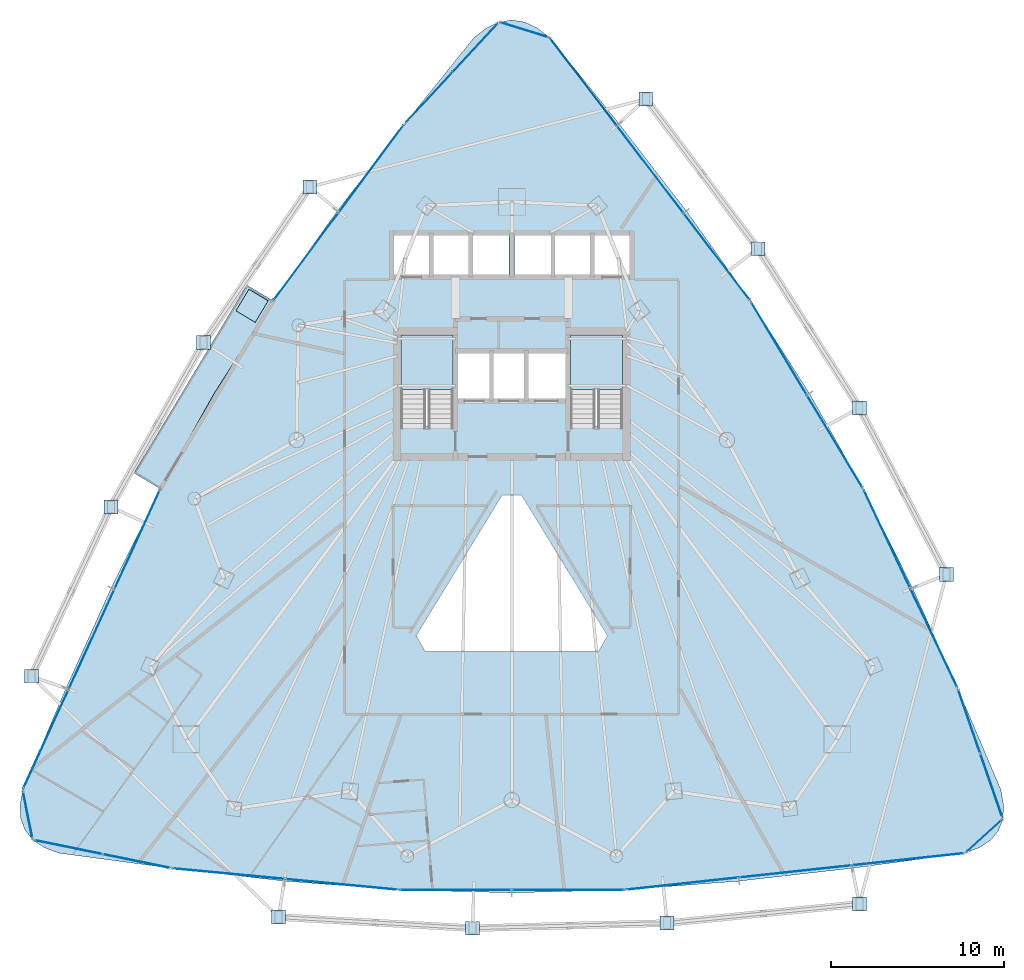
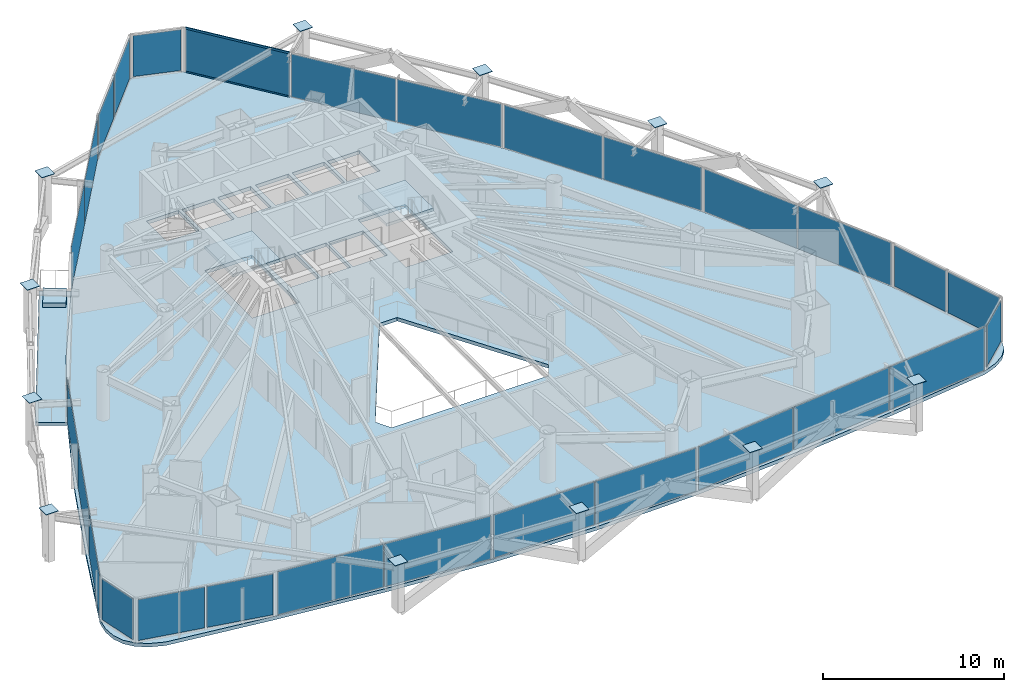
# One storey, part 31 of 38: 40 plates, 5 slabs, 2 members, 16 elements without a shape of their own.
"""IFC4 building model written with IfcOpenShell, lengths in metres."""

from ifc_helpers import new_model, si_unit, direction, frame, origin, origin_2d, place, context, subcontext, project, spatial, polyline, rectangle, hollow_rectangle, outline, extrude, material, layer, layer_set, material_profile, profile_set, type_object, element, aggregate, save


model = new_model("IFC4")

# Units and contexts
model_context = context("Model", 3, precision=1e-05, world=origin(), true_north=direction((0.0, 1.0)))
body_context = subcontext(model_context, "Body", "Model", "MODEL_VIEW")
ifc_project = project(units=[si_unit("LENGTHUNIT", "METRE"), si_unit("AREAUNIT", "SQUARE_METRE"), si_unit("VOLUMEUNIT", "CUBIC_METRE"), si_unit("PLANEANGLEUNIT", "RADIAN"), si_unit("MASSUNIT", "GRAM", prefix="KILO")], contexts=[model_context])

# Site, building, storey
site_placement = place(None, origin())
site = spatial("IfcSite", under=ifc_project, at=site_placement, CompositionType="ELEMENT")
building_placement = place(site_placement, origin())
building = spatial("IfcBuilding", under=site, at=building_placement, Name="Orvanel Arch Residences", CompositionType="ELEMENT")
storey_placement = place(building_placement, frame((0.0, 0.0, 56.60009765625)))
storey = spatial("IfcBuildingStorey", under=building, at=storey_placement, Name="L15", CompositionType="ELEMENT", Elevation=56.60009765625)

# Curtain wall, members
ifc_material_1 = material(Name="Bronze-anodised aluminium AA6063-T6", Category="aluminium")
ifc_layer_1 = layer(ifc_material_1, 0.179931640625)
ifc_layer_set_1 = layer_set([ifc_layer_1], Name="Bronze-anodised aluminium AA6063-T6")
curtain_wall_type_1 = type_object("IfcCurtainWallType", Name="CW2-LOW-SYS", PredefinedType="NOTDEFINED", material=ifc_layer_set_1)
curtain_wall_1_placement = place(storey_placement, origin())
curtain_wall_1 = element("IfcCurtainWall", 1, at=curtain_wall_1_placement, inside=storey, type_object=curtain_wall_type_1, Name="L15 CW2-LOW-SYS Unitised Curtain Wall", PredefinedType="NOTDEFINED")
ifc_material_profile = material_profile(ifc_material_1, hollow_rectangle(XDim=0.06005859375, YDim=0.135009765625, WallThickness=0.00390625, at=origin_2d()), Name="ALU135x60x4")
ifc_profile_set = profile_set([ifc_material_profile], Name="Bronze-anodised aluminium AA6063-T6")
member_type = type_object("IfcMemberType", Name="TRN-135x60", PredefinedType="USERDEFINED", material=ifc_profile_set)
member_1_placement = place(storey_placement, frame((39.041015625, 45.836181640625, 0.02978515625), z_axis=(-0.606365495041, 0.795186070316, 0.0), x_axis=(-0.795186070316, -0.606365495041, 0.0)))
member_1 = element("IfcMember", 2, at=member_1_placement, type_object=member_type, Name="CW-S2 transom 3.1", ObjectType="TRANSOM", PredefinedType="USERDEFINED", context=body_context, shape_type="SweptSolid", body=[
    extrude(hollow_rectangle(XDim=0.06005859375, YDim=0.135009765625, WallThickness=0.00390625, at=origin_2d()), origin(), (0.0, 0.0, 1.0), 6.2529296875),
])
member_2_placement = place(storey_placement, frame((39.041015625, 45.836181640625, 2.989990234375), z_axis=(-0.606365495041, 0.795186070316, 0.0), x_axis=(-0.795186070316, -0.606365495041, 0.0)))
member_2 = element("IfcMember", 3, at=member_2_placement, type_object=member_type, Name="CW-S2 transom 3.2", ObjectType="TRANSOM", PredefinedType="USERDEFINED", context=body_context, shape_type="SweptSolid", body=[
    extrude(hollow_rectangle(XDim=0.06005859375, YDim=0.135009765625, WallThickness=0.00390625, at=origin_2d()), origin(), (0.0, 0.0, 1.0), 6.2529296875),
])

# Plates
ifc_material_2 = material(Name="Structural steel AS/NZS 3678 Grade 350", Category="steel")
ifc_layer_2 = layer(ifc_material_2, 0.031982421875)
ifc_layer_set_2 = layer_set([ifc_layer_2], Name="Structural steel AS/NZS 3678 Grade 350")
plate_type_1 = type_object("IfcPlateType", Name="PL-CAP-32", PredefinedType="SHEET", material=ifc_layer_set_2)
for number, where, z_axis, x_axis, name in (
    (4, (21.323974609375, 42.251953125, 3.28369140625), (0.0, 0.0, 1.0), (1.0, 0.0, 0.0), "L15 hollow member end cap plate"),
    (5, (15.19189453125, 33.279052734375, 3.28369140625), (0.0, 0.0, 1.0), (1.0, 0.0, 0.0), "L15 hollow member end cap plate"),
    (6, (9.839111328125, 23.782958984375, 3.28369140625), (0.0, 0.0, 1.0), (1.0, 0.0, 0.0), "L15 hollow member end cap plate"),
    (7, (5.256103515625, 13.99609375, 3.28369140625), (0.0, 0.0, 1.0), (1.0, 0.0, 0.0), "L15 hollow member end cap plate"),
    (8, (19.52587890625, 0.087890625, 3.28369140625), (0.0, 0.0, 1.0), (1.0, 0.0, 0.0), "L15 hollow member end cap plate"),
    (9, (30.72607421875, -0.554931640625, 3.28369140625), (0.0, 0.0, 1.0), (1.0, 0.0, 0.0), "L15 hollow member end cap plate"),
    (10, (41.971923828125, -0.260986328125, 3.28369140625), (0.0, 0.0, 1.0), (1.0, 0.0, 0.0), "L15 hollow member end cap plate"),
    (11, (53.076904296875, 0.843017578125, 3.28369140625), (0.0, 0.0, 1.0), (1.0, 0.0, 0.0), "L15 hollow member end cap plate"),
    (12, (58.10302734375, 19.865966796875, 3.28369140625), (0.0, 0.0, 1.0), (1.0, 0.0, 0.0), "L15 hollow member end cap plate"),
    (13, (53.073974609375, 29.5009765625, 3.28369140625), (0.0, 0.0, 1.0), (1.0, 0.0, 0.0), "L15 hollow member end cap plate"),
    (14, (47.217041015625, 38.694091796875, 3.28369140625), (0.0, 0.0, 1.0), (1.0, 0.0, 0.0), "L15 hollow member end cap plate"),
    (15, (40.739990234375, 47.343994140625, 3.28369140625), (0.0, 0.0, 1.0), (1.0, 0.0, 0.0), "L15 hollow member end cap plate"),
):
    element("IfcPlate", number, at=place(storey_placement, frame(where, z_axis=z_axis, x_axis=x_axis)), inside=storey, type_object=plate_type_1, Name=name, PredefinedType="SHEET", context=body_context, shape_type="SweptSolid", body=[
        extrude(rectangle(XDim=0.800048828125, YDim=0.800048828125, at=origin_2d()), origin(), (0.0, 0.0, 1.0), 0.031982421875),
    ])

# Curtain wall, plates
curtain_wall_2_placement = place(storey_placement, origin())
curtain_wall_2 = element("IfcCurtainWall", 16, at=curtain_wall_2_placement, inside=storey, type_object=curtain_wall_type_1, Name="L15 CW2-LOW-SYS Unitised Curtain Wall", PredefinedType="NOTDEFINED")
ifc_material_3 = material(Name="Double-glazed solar-control low-E safety glass", Category="glass")
ifc_layer_3 = layer(ifc_material_3, 0.028076171875)
ifc_layer_set_3 = layer_set([ifc_layer_3], Name="Double-glazed solar-control low-E safety glass")
plate_type_2 = type_object("IfcPlateType", Name="PNL-GLZ-28", PredefinedType="CURTAIN_PANEL", material=ifc_layer_set_3)
plate_1_placement = place(storey_placement, frame((24.883544921875, 43.32470703125, 0.06005859375), z_axis=(0.0, 0.0, 1.0), x_axis=(-0.595664851429, -0.803233082468, 0.0)))
plate_1 = element("IfcPlate", 17, at=plate_1_placement, type_object=plate_type_2, Name="CW-S2 panel 1.1", PredefinedType="CURTAIN_PANEL", context=body_context, shape_type="SweptSolid", body=[
    extrude(rectangle(XDim=6.237548828125, YDim=0.028076171875, at=origin_2d()), origin(), (0.0, 0.0, 1.0), 2.89990234375),
])
plate_2_placement = place(storey_placement, frame((21.12646484375, 38.25830078125, 0.06005859375), z_axis=(0.0, 0.0, 1.0), x_axis=(-0.595664851429, -0.803233082468, 0.0)))
plate_2 = element("IfcPlate", 18, at=plate_2_placement, type_object=plate_type_2, Name="CW-S2 panel 2.1", PredefinedType="CURTAIN_PANEL", context=body_context, shape_type="SweptSolid", body=[
    extrude(rectangle(XDim=6.237548828125, YDim=0.028076171875, at=origin_2d()), origin(), (0.0, 0.0, 1.0), 2.89990234375),
])
aggregate(curtain_wall_2, [plate_1, plate_2])

curtain_wall_3_placement = place(storey_placement, origin())
curtain_wall_3 = element("IfcCurtainWall", 19, at=curtain_wall_3_placement, inside=storey, type_object=curtain_wall_type_1, Name="L15 CW2-LOW-SYS Unitised Curtain Wall", PredefinedType="NOTDEFINED")
plate_3_placement = place(storey_placement, frame((11.36279296875, 21.895263671875, 0.06005859375), z_axis=(0.0, 0.0, 1.0), x_axis=(-0.416143790203, -0.909298821002, 0.0)))
plate_3 = element("IfcPlate", 20, at=plate_3_placement, type_object=plate_type_2, Name="CW-S2 panel 1.1", PredefinedType="CURTAIN_PANEL", context=body_context, shape_type="SweptSolid", body=[
    extrude(rectangle(XDim=6.25341796875, YDim=0.028076171875, at=origin_2d()), origin(), (0.0, 0.0, 1.0), 2.89990234375),
])
plate_4_placement = place(storey_placement, frame((8.72412109375, 16.12939453125, 0.06005859375), z_axis=(0.0, 0.0, 1.0), x_axis=(-0.416143790203, -0.909298821002, 0.0)))
plate_4 = element("IfcPlate", 21, at=plate_4_placement, type_object=plate_type_2, Name="CW-S2 panel 2.1", PredefinedType="CURTAIN_PANEL", context=body_context, shape_type="SweptSolid", body=[
    extrude(rectangle(XDim=6.288330078125, YDim=0.028076171875, at=origin_2d()), origin(), (0.0, 0.0, 1.0), 2.89990234375),
])
plate_5_placement = place(storey_placement, frame((6.085205078125, 10.36376953125, 0.06005859375), z_axis=(0.0, 0.0, 1.0), x_axis=(-0.416143790203, -0.909298821002, 0.0)))
plate_5 = element("IfcPlate", 22, at=plate_5_placement, type_object=plate_type_2, Name="CW-S2 panel 3.1", PredefinedType="CURTAIN_PANEL", context=body_context, shape_type="SweptSolid", body=[
    extrude(rectangle(XDim=6.25341796875, YDim=0.028076171875, at=origin_2d()), origin(), (0.0, 0.0, 1.0), 2.89990234375),
])
aggregate(curtain_wall_3, [plate_3, plate_4, plate_5])

curtain_wall_4_placement = place(storey_placement, origin())
curtain_wall_4 = element("IfcCurtainWall", 23, at=curtain_wall_4_placement, inside=storey, type_object=curtain_wall_type_1, Name="L15 CW2-LOW-SYS Unitised Curtain Wall", PredefinedType="NOTDEFINED")
plate_6_placement = place(storey_placement, frame((16.6640625, 2.5888671875, 0.06005859375), z_axis=(0.0, 0.0, 1.0), x_axis=(0.995531056699, -0.094434713682, 0.0)))
plate_6 = element("IfcPlate", 24, at=plate_6_placement, type_object=plate_type_2, Name="CW-S2 panel 1.1", PredefinedType="CURTAIN_PANEL", context=body_context, shape_type="SweptSolid", body=[
    extrude(rectangle(XDim=6.44970703125, YDim=0.028076171875, at=origin_2d()), origin(), (0.0, 0.0, 1.0), 2.89990234375),
])
plate_7_placement = place(storey_placement, frame((23.15478515625, 1.97314453125, 0.06005859375), z_axis=(0.0, 0.0, 1.0), x_axis=(0.995531056699, -0.094434713682, 0.0)))
plate_7 = element("IfcPlate", 25, at=plate_7_placement, type_object=plate_type_2, Name="CW-S2 panel 2.1", PredefinedType="CURTAIN_PANEL", context=body_context, shape_type="SweptSolid", body=[
    extrude(rectangle(XDim=6.44970703125, YDim=0.028076171875, at=origin_2d()), origin(), (0.0, 0.0, 1.0), 2.89990234375),
])
aggregate(curtain_wall_4, [plate_6, plate_7])

curtain_wall_5_placement = place(storey_placement, origin())
curtain_wall_5 = element("IfcCurtainWall", 26, at=curtain_wall_5_placement, inside=storey, type_object=curtain_wall_type_1, Name="L15 CW2-LOW-SYS Unitised Curtain Wall", PredefinedType="NOTDEFINED")
plate_8_placement = place(storey_placement, frame((29.7548828125, 1.659912109375, 0.06005859375), z_axis=(0.0, 0.0, 1.0), x_axis=(1.0, 0.0, 0.0)))
plate_8 = element("IfcPlate", 27, at=plate_8_placement, type_object=plate_type_2, Name="CW-S2 panel 1.1", PredefinedType="CURTAIN_PANEL", context=body_context, shape_type="SweptSolid", body=[
    extrude(rectangle(XDim=6.419921875, YDim=0.028076171875, at=origin_2d()), origin(), (0.0, 0.0, 1.0), 2.89990234375),
])
plate_9_placement = place(storey_placement, frame((36.2451171875, 1.659912109375, 0.06005859375), z_axis=(0.0, 0.0, 1.0), x_axis=(1.0, 0.0, 0.0)))
plate_9 = element("IfcPlate", 28, at=plate_9_placement, type_object=plate_type_2, Name="CW-S2 panel 2.1", PredefinedType="CURTAIN_PANEL", context=body_context, shape_type="SweptSolid", body=[
    extrude(rectangle(XDim=6.419921875, YDim=0.028076171875, at=origin_2d()), origin(), (0.0, 0.0, 1.0), 2.89990234375),
])
aggregate(curtain_wall_5, [plate_8, plate_9])

curtain_wall_6_placement = place(storey_placement, origin())
curtain_wall_6 = element("IfcCurtainWall", 29, at=curtain_wall_6_placement, inside=storey, type_object=curtain_wall_type_1, Name="L15 CW2-LOW-SYS Unitised Curtain Wall", PredefinedType="NOTDEFINED")
plate_10_placement = place(storey_placement, frame((42.848388671875, 2.0166015625, 0.06005859375), z_axis=(0.0, 0.0, 1.0), x_axis=(0.994220520474, 0.107357145401, 0.0)))
plate_10 = element("IfcPlate", 30, at=plate_10_placement, type_object=plate_type_2, Name="CW-S2 panel 1.1", PredefinedType="CURTAIN_PANEL", context=body_context, shape_type="SweptSolid", body=[
    extrude(rectangle(XDim=6.465087890625, YDim=0.028076171875, at=origin_2d()), origin(), (0.0, 0.0, 1.0), 2.89990234375),
])
plate_11_placement = place(storey_placement, frame((49.363037109375, 2.719970703125, 0.06005859375), z_axis=(0.0, 0.0, 1.0), x_axis=(0.994220520474, 0.107357145401, 0.0)))
plate_11 = element("IfcPlate", 31, at=plate_11_placement, type_object=plate_type_2, Name="CW-S2 panel 2.1", PredefinedType="CURTAIN_PANEL", context=body_context, shape_type="SweptSolid", body=[
    extrude(rectangle(XDim=6.5, YDim=0.028076171875, at=origin_2d()), origin(), (0.0, 0.0, 1.0), 2.89990234375),
])
plate_12_placement = place(storey_placement, frame((55.877685546875, 3.42333984375, 0.06005859375), z_axis=(0.0, 0.0, 1.0), x_axis=(0.994220520474, 0.107357145401, 0.0)))
plate_12 = element("IfcPlate", 32, at=plate_12_placement, type_object=plate_type_2, Name="CW-S2 panel 3.1", PredefinedType="CURTAIN_PANEL", context=body_context, shape_type="SweptSolid", body=[
    extrude(rectangle(XDim=6.465087890625, YDim=0.028076171875, at=origin_2d()), origin(), (0.0, 0.0, 1.0), 2.89990234375),
])
aggregate(curtain_wall_6, [plate_10, plate_11, plate_12])

curtain_wall_7_placement = place(storey_placement, origin())
curtain_wall_7 = element("IfcCurtainWall", 33, at=curtain_wall_7_placement, inside=storey, type_object=curtain_wall_type_1, Name="L15 CW2-LOW-SYS Unitised Curtain Wall", PredefinedType="NOTDEFINED")
plate_13_placement = place(storey_placement, frame((57.37451171875, 16.220458984375, 0.06005859375), z_axis=(0.0, 0.0, 1.0), x_axis=(-0.428225279813, 0.903672014466, 0.0)))
plate_13 = element("IfcPlate", 34, at=plate_13_placement, type_object=plate_type_2, Name="CW-S2 panel 1.1", PredefinedType="CURTAIN_PANEL", context=body_context, shape_type="SweptSolid", body=[
    extrude(rectangle(XDim=6.237548828125, YDim=0.028076171875, at=origin_2d()), origin(), (0.0, 0.0, 1.0), 2.89990234375),
])
plate_14_placement = place(storey_placement, frame((54.673583984375, 21.92041015625, 0.06005859375), z_axis=(0.0, 0.0, 1.0), x_axis=(-0.428225279813, 0.903672014466, 0.0)))
plate_14 = element("IfcPlate", 35, at=plate_14_placement, type_object=plate_type_2, Name="CW-S2 panel 2.1", PredefinedType="CURTAIN_PANEL", context=body_context, shape_type="SweptSolid", body=[
    extrude(rectangle(XDim=6.237548828125, YDim=0.028076171875, at=origin_2d()), origin(), (0.0, 0.0, 1.0), 2.89990234375),
])
aggregate(curtain_wall_7, [plate_13, plate_14])

curtain_wall_8_placement = place(storey_placement, origin())
curtain_wall_8 = element("IfcCurtainWall", 36, at=curtain_wall_8_placement, inside=storey, type_object=curtain_wall_type_1, Name="L15 CW2-LOW-SYS Unitised Curtain Wall", PredefinedType="NOTDEFINED")
plate_15_placement = place(storey_placement, frame((51.656494140625, 27.558837890625, 0.06005859375), z_axis=(0.0, 0.0, 1.0), x_axis=(-0.514367621375, 0.857569793125, 0.0)))
plate_15 = element("IfcPlate", 37, at=plate_15_placement, type_object=plate_type_2, Name="CW-S2 panel 1.1", PredefinedType="CURTAIN_PANEL", context=body_context, shape_type="SweptSolid", body=[
    extrude(rectangle(XDim=6.20751953125, YDim=0.028076171875, at=origin_2d()), origin(), (0.0, 0.0, 1.0), 2.89990234375),
])
plate_16_placement = place(storey_placement, frame((48.427490234375, 32.942138671875, 0.06005859375), z_axis=(0.0, 0.0, 1.0), x_axis=(-0.514367621375, 0.857569793125, 0.0)))
plate_16 = element("IfcPlate", 38, at=plate_16_placement, type_object=plate_type_2, Name="CW-S2 panel 2.1", PredefinedType="CURTAIN_PANEL", context=body_context, shape_type="SweptSolid", body=[
    extrude(rectangle(XDim=6.20751953125, YDim=0.028076171875, at=origin_2d()), origin(), (0.0, 0.0, 1.0), 2.89990234375),
])
aggregate(curtain_wall_8, [plate_15, plate_16])

# Plate
plate_17_placement = place(storey_placement, frame((44.834716796875, 38.23876953125, 0.06005859375), z_axis=(0.0, 0.0, 1.0), x_axis=(-0.606381196444, 0.795174097037, 0.0)))
plate_17 = element("IfcPlate", 39, at=plate_17_placement, type_object=plate_type_2, Name="CW-S2 panel 1.1", PredefinedType="CURTAIN_PANEL", context=body_context, shape_type="SweptSolid", body=[
    extrude(rectangle(XDim=6.2529296875, YDim=0.028076171875, at=origin_2d()), origin(), (0.0, 0.0, 1.0), 2.89990234375),
])

plate_18_placement = place(storey_placement, frame((40.989990234375, 43.280517578125, 0.06005859375), z_axis=(0.0, 0.0, 1.0), x_axis=(-0.606381196444, 0.795174097037, 0.0)))
plate_18 = element("IfcPlate", 40, at=plate_18_placement, type_object=plate_type_2, Name="CW-S2 panel 2.1", PredefinedType="CURTAIN_PANEL", context=body_context, shape_type="SweptSolid", body=[
    extrude(rectangle(XDim=6.287841796875, YDim=0.028076171875, at=origin_2d()), origin(), (0.0, 0.0, 1.0), 2.89990234375),
])

plate_19_placement = place(storey_placement, frame((37.145263671875, 48.322265625, 0.06005859375), z_axis=(0.0, 0.0, 1.0), x_axis=(-0.606381196444, 0.795174097037, 0.0)))
plate_19 = element("IfcPlate", 41, at=plate_19_placement, type_object=plate_type_2, Name="CW-S2 panel 3.1", PredefinedType="CURTAIN_PANEL", context=body_context, shape_type="SweptSolid", body=[
    extrude(rectangle(XDim=6.2529296875, YDim=0.028076171875, at=origin_2d()), origin(), (0.0, 0.0, 1.0), 2.89990234375),
])

aggregate(curtain_wall_1, [plate_17, plate_18, member_1, member_2, plate_19])

# Curtain wall, plate
ifc_layer_4 = layer(ifc_material_1, 0.18994140625)
ifc_layer_set_4 = layer_set([ifc_layer_4], Name="Bronze-anodised aluminium AA6063-T6")
curtain_wall_type_2 = type_object("IfcCurtainWallType", Name="CW5-CRN-SYS", PredefinedType="NOTDEFINED", material=ifc_layer_set_4)
curtain_wall_9_placement = place(storey_placement, origin())
curtain_wall_9 = element("IfcCurtainWall", 42, at=curtain_wall_9_placement, inside=storey, type_object=curtain_wall_type_2, Name="L15 CW5-CRN-SYS Unitised Curtain Wall", PredefinedType="NOTDEFINED")
ifc_layer_5 = layer(ifc_material_3, 0.031982421875)
ifc_layer_set_5 = layer_set([ifc_layer_5], Name="Double-glazed solar-control low-E safety glass")
plate_type_3 = type_object("IfcPlateType", Name="PNL-GLZ-32", PredefinedType="CURTAIN_PANEL", material=ifc_layer_set_5)
plate_20_placement = place(storey_placement, frame((33.7314453125, 51.33544921875, 0.1298828125), z_axis=(0.0, 0.0, 1.0), x_axis=(-0.954838024306, 0.297126820297, 0.0)))
plate_20 = element("IfcPlate", 43, at=plate_20_placement, type_object=plate_type_3, Name="CW-S5 panel 1.1", PredefinedType="CURTAIN_PANEL", context=body_context, shape_type="SweptSolid", body=[
    extrude(rectangle(XDim=2.7255859375, YDim=0.031982421875, at=origin_2d()), origin(), (0.0, 0.0, 1.0), 2.760009765625),
])
aggregate(curtain_wall_9, [plate_20])

# Curtain wall, plates
curtain_wall_10_placement = place(storey_placement, origin())
curtain_wall_10 = element("IfcCurtainWall", 44, at=curtain_wall_10_placement, inside=storey, type_object=curtain_wall_type_2, Name="L15 CW5-CRN-SYS Unitised Curtain Wall", PredefinedType="NOTDEFINED")
plate_21_placement = place(storey_placement, frame((30.8671875, 50.28369140625, 0.1298828125), z_axis=(0.0, 0.0, 1.0), x_axis=(-0.680753153202, -0.732512897092, 0.0)))
plate_21 = element("IfcPlate", 45, at=plate_21_placement, type_object=plate_type_3, Name="CW-S5 panel 1.1", PredefinedType="CURTAIN_PANEL", context=body_context, shape_type="SweptSolid", body=[
    extrude(rectangle(XDim=3.774169921875, YDim=0.031982421875, at=origin_2d()), origin(), (0.0, 0.0, 1.0), 2.760009765625),
])
plate_22_placement = place(storey_placement, frame((28.19580078125, 47.4091796875, 0.1298828125), z_axis=(0.0, 0.0, 1.0), x_axis=(-0.680753153202, -0.732512897092, 0.0)))
plate_22 = element("IfcPlate", 46, at=plate_22_placement, type_object=plate_type_3, Name="CW-S5 panel 2.1", PredefinedType="CURTAIN_PANEL", context=body_context, shape_type="SweptSolid", body=[
    extrude(rectangle(XDim=3.774169921875, YDim=0.031982421875, at=origin_2d()), origin(), (0.0, 0.0, 1.0), 2.760009765625),
])
aggregate(curtain_wall_10, [plate_21, plate_22])

# Curtain wall, plate
curtain_wall_11_placement = place(storey_placement, origin())
curtain_wall_11 = element("IfcCurtainWall", 47, at=curtain_wall_11_placement, inside=storey, type_object=curtain_wall_type_2, Name="L15 CW5-CRN-SYS Unitised Curtain Wall", PredefinedType="NOTDEFINED")
plate_23_placement = place(storey_placement, frame((5.035400390625, 5.991943359375, 0.1298828125), z_axis=(0.0, 0.0, 1.0), x_axis=(0.19552136731, -0.980699441687, 0.0)))
plate_23 = element("IfcPlate", 48, at=plate_23_placement, type_object=plate_type_3, Name="CW-S5 panel 1.1", PredefinedType="CURTAIN_PANEL", context=body_context, shape_type="SweptSolid", body=[
    extrude(rectangle(XDim=2.610107421875, YDim=0.031982421875, at=origin_2d()), origin(), (0.0, 0.0, 1.0), 2.760009765625),
])
aggregate(curtain_wall_11, [plate_23])

# Curtain wall, plates
curtain_wall_12_placement = place(storey_placement, origin())
curtain_wall_12 = element("IfcCurtainWall", 49, at=curtain_wall_12_placement, inside=storey, type_object=curtain_wall_type_2, Name="L15 CW5-CRN-SYS Unitised Curtain Wall", PredefinedType="NOTDEFINED")
plate_24_placement = place(storey_placement, frame((7.380859375, 4.124755859375, 0.1298828125), z_axis=(0.0, 0.0, 1.0), x_axis=(0.979747706958, -0.200235937609, 0.0)))
plate_24 = element("IfcPlate", 50, at=plate_24_placement, type_object=plate_type_3, Name="CW-S5 panel 1.1", PredefinedType="CURTAIN_PANEL", context=body_context, shape_type="SweptSolid", body=[
    extrude(rectangle(XDim=3.857666015625, YDim=0.031982421875, at=origin_2d()), origin(), (0.0, 0.0, 1.0), 2.760009765625),
])
plate_25_placement = place(storey_placement, frame((11.307373046875, 3.322265625, 0.1298828125), z_axis=(0.0, 0.0, 1.0), x_axis=(0.979747706958, -0.200235937609, 0.0)))
plate_25 = element("IfcPlate", 51, at=plate_25_placement, type_object=plate_type_3, Name="CW-S5 panel 2.1", PredefinedType="CURTAIN_PANEL", context=body_context, shape_type="SweptSolid", body=[
    extrude(rectangle(XDim=3.857666015625, YDim=0.031982421875, at=origin_2d()), origin(), (0.0, 0.0, 1.0), 2.760009765625),
])
aggregate(curtain_wall_12, [plate_24, plate_25])

# Curtain wall, plate
curtain_wall_13_placement = place(storey_placement, origin())
curtain_wall_13 = element("IfcCurtainWall", 52, at=curtain_wall_13_placement, inside=storey, type_object=curtain_wall_type_2, Name="L15 CW5-CRN-SYS Unitised Curtain Wall", PredefinedType="NOTDEFINED")
plate_26_placement = place(storey_placement, frame((60.2734375, 4.77197265625, 0.1298828125), z_axis=(0.0, 0.0, 1.0), x_axis=(0.740126531577, 0.672467632869, 0.0)))
plate_26 = element("IfcPlate", 53, at=plate_26_placement, type_object=plate_type_3, Name="CW-S5 panel 1.1", PredefinedType="CURTAIN_PANEL", context=body_context, shape_type="SweptSolid", body=[
    extrude(rectangle(XDim=2.611572265625, YDim=0.031982421875, at=origin_2d()), origin(), (0.0, 0.0, 1.0), 2.760009765625),
])
aggregate(curtain_wall_13, [plate_26])

# Curtain wall, plates
curtain_wall_14_placement = place(storey_placement, origin())
curtain_wall_14 = element("IfcCurtainWall", 54, at=curtain_wall_14_placement, inside=storey, type_object=curtain_wall_type_2, Name="L15 CW5-CRN-SYS Unitised Curtain Wall", PredefinedType="NOTDEFINED")
plate_27_placement = place(storey_placement, frame((60.696044921875, 7.6982421875, 0.1298828125), z_axis=(0.0, 0.0, 1.0), x_axis=(-0.327140779645, 0.944975613597, 0.0)))
plate_27 = element("IfcPlate", 55, at=plate_27_placement, type_object=plate_type_3, Name="CW-S5 panel 1.1", PredefinedType="CURTAIN_PANEL", context=body_context, shape_type="SweptSolid", body=[
    extrude(rectangle(XDim=3.75341796875, YDim=0.031982421875, at=origin_2d()), origin(), (0.0, 0.0, 1.0), 2.760009765625),
])
plate_28_placement = place(storey_placement, frame((59.4189453125, 11.38671875, 0.1298828125), z_axis=(0.0, 0.0, 1.0), x_axis=(-0.327140779645, 0.944975613597, 0.0)))
plate_28 = element("IfcPlate", 56, at=plate_28_placement, type_object=plate_type_3, Name="CW-S5 panel 2.1", PredefinedType="CURTAIN_PANEL", context=body_context, shape_type="SweptSolid", body=[
    extrude(rectangle(XDim=3.75341796875, YDim=0.031982421875, at=origin_2d()), origin(), (0.0, 0.0, 1.0), 2.760009765625),
])
aggregate(curtain_wall_14, [plate_27, plate_28])

# Slab
ifc_material_4 = material(Name="Concrete N40 (40 MPa)", Category="concrete")
ifc_layer_6 = layer(ifc_material_4, 0.215087890625)
ifc_layer_set_6 = layer_set([ifc_layer_6], Name="Concrete N40 (40 MPa)")
slab_type_1 = type_object("IfcSlabType", Name="SLB-BAL-215", PredefinedType="FLOOR", material=ifc_layer_set_6)
slab_1_placement = place(storey_placement, frame((0.0, 0.0, -0.215087890625)))
element("IfcSlab", 57, at=slab_1_placement, inside=storey, type_object=slab_type_1, Name="L15 Cantilevered Balcony Slab Face 1", PredefinedType="FLOOR", context=body_context, shape_type="SweptSolid", body=[
    extrude(outline(polyline([(17.68896484375, 36.595947265625), (11.174072265625, 25.736083984375), (12.700927734375, 24.820068359375), (15.80810546875, 30.340087890625), (19.215087890625, 35.680908203125), (17.68896484375, 36.595947265625)])), origin(), (0.0, 0.0, 1.0), 0.215087890625),
])

# Stair, slab
ifc_material_5 = material(Name="Precast concrete N50 (50 MPa)", Category="concrete")
stair_type = type_object("IfcStairType", Name="STR-DOG-184", PredefinedType="USERDEFINED", material=ifc_material_5)
stair_1_placement = place(storey_placement, origin())
stair_1 = element("IfcStair", 58, at=stair_1_placement, inside=storey, type_object=stair_type, Name="L15 Fire-Isolated Core Exit Stair 1", ObjectType="TWO_RETURN_STAIR", PredefinedType="USERDEFINED")
ifc_layer_7 = layer(ifc_material_4, 0.199951171875)
ifc_layer_set_7 = layer_set([ifc_layer_7], Name="Concrete N40 (40 MPa)")
slab_type_2 = type_object("IfcSlabType", Name="SLB-LND-200", PredefinedType="LANDING", material=ifc_layer_set_7)
slab_2_placement = place(storey_placement, frame((0.0, 0.0, 1.449951171875)))
slab_2 = element("IfcSlab", 59, at=slab_2_placement, type_object=slab_type_2, Name="ST-1 landing 1", PredefinedType="LANDING", context=body_context, shape_type="SweptSolid", body=[
    extrude(outline(polyline([(29.60009765625, 30.56005859375), (29.60009765625, 33.699951171875), (26.60009765625, 33.699951171875), (26.60009765625, 30.56005859375), (29.60009765625, 30.56005859375)])), origin(), (0.0, 0.0, 1.0), 0.199951171875),
])
aggregate(stair_1, [slab_2])

stair_2_placement = place(storey_placement, origin())
stair_2 = element("IfcStair", 60, at=stair_2_placement, inside=storey, type_object=stair_type, Name="L15 Fire-Isolated Core Exit Stair 2", ObjectType="TWO_RETURN_STAIR", PredefinedType="USERDEFINED")
slab_3_placement = place(storey_placement, frame((0.0, 0.0, 1.449951171875)))
slab_3 = element("IfcSlab", 61, at=slab_3_placement, type_object=slab_type_2, Name="ST-2 landing 1", PredefinedType="LANDING", context=body_context, shape_type="SweptSolid", body=[
    extrude(outline(polyline([(39.39990234375, 30.56005859375), (39.39990234375, 33.699951171875), (36.39990234375, 33.699951171875), (36.39990234375, 30.56005859375), (39.39990234375, 30.56005859375)])), origin(), (0.0, 0.0, 1.0), 0.199951171875),
])
aggregate(stair_2, [slab_3])

# Slabs
ifc_material_6 = material(Name="Structural architectural precast concrete N40 (40 MPa) planter", Category="concrete")
ifc_layer_8 = layer(ifc_material_6, 0.320068359375)
ifc_layer_set_8 = layer_set([ifc_layer_8], Name="Structural architectural precast concrete N40 (40 MPa) planter")
slab_type_3 = type_object("IfcSlabType", Name="SLB-PLN-320", PredefinedType="USERDEFINED", material=ifc_layer_set_8)
slab_4_placement = place(storey_placement, origin())
element("IfcSlab", 62, at=slab_4_placement, inside=storey, type_object=slab_type_3, Name="L15 Balcony TREE PLANTER Face 1", ObjectType="PLANTER", PredefinedType="USERDEFINED", context=body_context, shape_type="SweptSolid", body=[
    extrude(outline(polyline([(17.80908203125, 36.34912109375), (17.06298828125, 35.10595703125), (18.177978515625, 34.43701171875), (18.924072265625, 35.680908203125), (17.80908203125, 36.34912109375)])), origin(), (0.0, 0.0, 1.0), 0.31982421875),
])
ifc_layer_9 = layer(ifc_material_4, 0.239990234375)
ifc_layer_set_9 = layer_set([ifc_layer_9], Name="Concrete N40 (40 MPa)")
slab_type_4 = type_object("IfcSlabType", Name="SLB-TYP-240", PredefinedType="FLOOR", material=ifc_layer_set_9)
slab_5_placement = place(storey_placement, frame((0.0, 0.0, -0.239990234375)))
element("IfcSlab", 63, at=slab_5_placement, inside=storey, type_object=slab_type_4, Name="L15 Tower Floor Slab", PredefinedType="FLOOR", context=body_context, shape_type="SweptSolid", body=[
    extrude(outline(polyline([(35.195068359375, 50.8798828125), (34.462890625, 51.449951171875), (33.73193359375, 51.791015625), (33.0, 51.905029296875), (32.26806640625, 51.791015625), (31.537109375, 51.449951171875), (30.804931640625, 50.8798828125), (26.794921875, 45.902099609375), (22.89892578125, 40.85498046875), (19.215087890625, 35.680908203125), (15.80810546875, 30.340087890625), (12.700927734375, 24.820068359375), (9.8701171875, 19.134033203125), (7.2509765625, 13.321044921875), (4.7470703125, 7.43896484375), (4.590087890625, 6.544921875), (4.634033203125, 5.763916015625), (4.87890625, 5.097900390625), (5.323974609375, 4.544921875), (5.970947265625, 4.10595703125), (6.819091796875, 3.780029296875), (13.364013671875, 2.902099609375), (19.909912109375, 2.157958984375), (26.455078125, 1.659912109375), (33.0, 1.485107421875), (39.544921875, 1.659912109375), (46.090087890625, 2.157958984375), (52.635986328125, 2.902099609375), (59.180908203125, 3.780029296875), (60.029052734375, 4.10595703125), (60.675048828125, 4.544921875), (61.12109375, 5.097900390625), (61.365966796875, 5.763916015625), (61.409912109375, 6.544921875), (61.2529296875, 7.43896484375), (58.7490234375, 13.321044921875), (56.1298828125, 19.134033203125), (53.299072265625, 24.820068359375), (50.19189453125, 30.340087890625), (46.784912109375, 35.680908203125), (43.10107421875, 40.85498046875), (39.205078125, 45.902099609375), (35.195068359375, 50.8798828125)]), holes=[polyline([(26.60009765625, 28.429931640625), (26.60009765625, 33.699951171875), (29.60009765625, 33.699951171875), (29.60009765625, 28.429931640625), (26.60009765625, 28.429931640625)]), polyline([(36.39990234375, 28.429931640625), (36.39990234375, 33.699951171875), (39.39990234375, 33.699951171875), (39.39990234375, 28.429931640625), (36.39990234375, 28.429931640625)]), polyline([(29.89990234375, 32.64990234375), (31.75, 32.64990234375), (31.75, 29.949951171875), (29.89990234375, 29.949951171875), (29.89990234375, 32.64990234375)]), polyline([(31.89990234375, 32.64990234375), (33.75, 32.64990234375), (33.75, 29.949951171875), (31.89990234375, 29.949951171875), (31.89990234375, 32.64990234375)]), polyline([(33.89990234375, 32.64990234375), (36.10009765625, 32.64990234375), (36.10009765625, 29.949951171875), (33.89990234375, 29.949951171875), (33.89990234375, 32.64990234375)]), polyline([(26.199951171875, 39.449951171875), (28.25, 39.449951171875), (28.25, 37.199951171875), (26.199951171875, 37.199951171875), (26.199951171875, 39.449951171875)]), polyline([(37.75, 39.449951171875), (39.800048828125, 39.449951171875), (39.800048828125, 37.199951171875), (37.75, 37.199951171875), (37.75, 39.449951171875)]), polyline([(28.449951171875, 39.449951171875), (30.5, 39.449951171875), (30.5, 37.199951171875), (28.449951171875, 37.199951171875), (28.449951171875, 39.449951171875)]), polyline([(35.5, 39.449951171875), (37.550048828125, 39.449951171875), (37.550048828125, 37.199951171875), (35.5, 37.199951171875), (35.5, 39.449951171875)]), polyline([(30.75, 39.449951171875), (32.85009765625, 39.449951171875), (32.85009765625, 37.199951171875), (30.75, 37.199951171875), (30.75, 39.449951171875)]), polyline([(33.14990234375, 39.449951171875), (35.25, 39.449951171875), (35.25, 37.199951171875), (33.14990234375, 37.199951171875), (33.14990234375, 39.449951171875)]), polyline([(38.529052734375, 16.343017578125), (38.014892578125, 15.426025390625), (27.985107421875, 15.426025390625), (27.470947265625, 16.343017578125), (32.43994140625, 24.470947265625), (33.56005859375, 24.470947265625), (38.529052734375, 16.343017578125)])]), origin(), (0.0, 0.0, 1.0), 0.239990234375),
])

save(model, "model.ifc")
